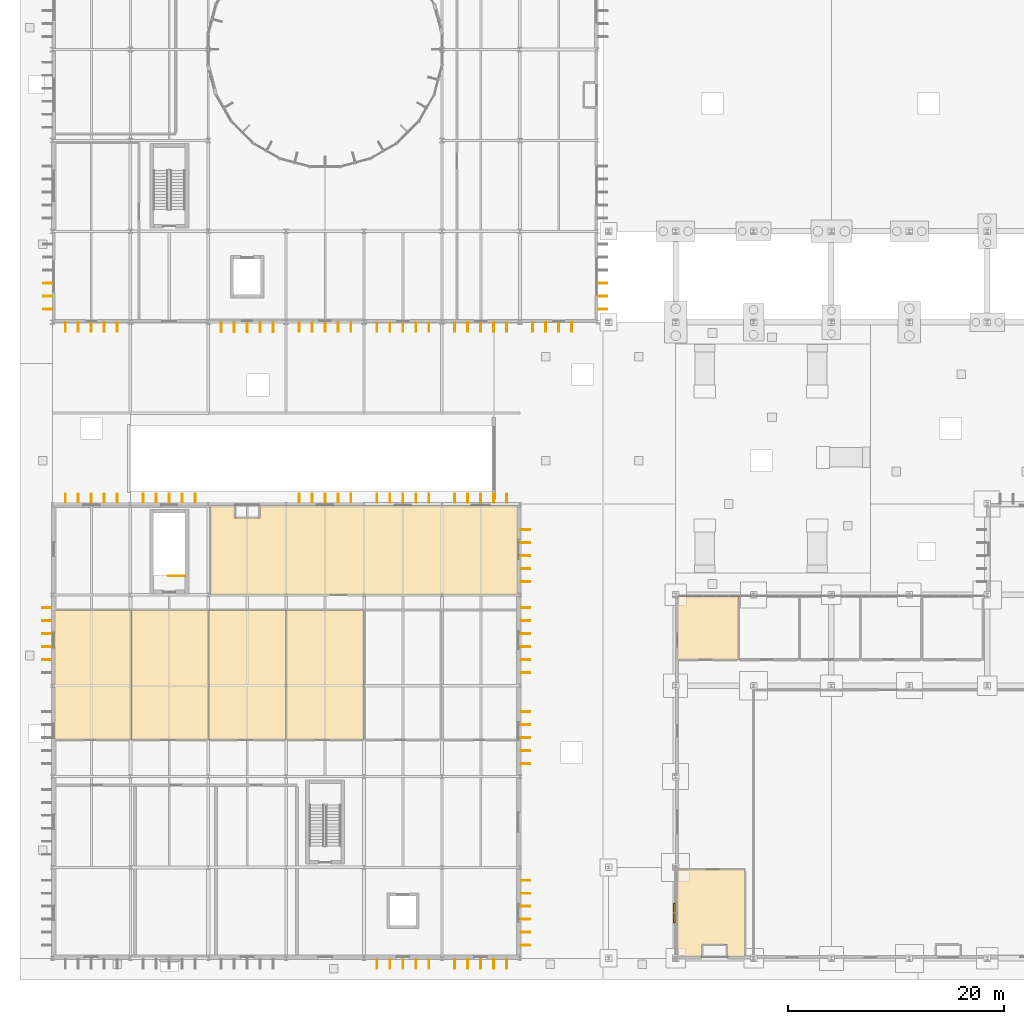
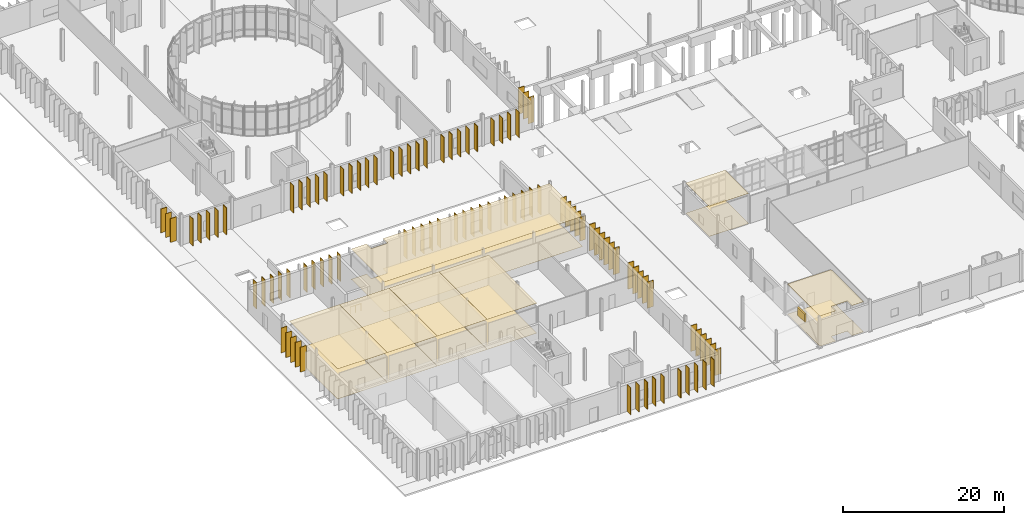
# One storey, part 103 of 118: 98 shading devices, 14 coverings, 1 railing.
"""IFC4 building model written with IfcOpenShell, lengths in metres."""

from ifc_helpers import new_model, si_unit, direction, frame, origin, origin_2d, place, context, subcontext, project, spatial, polyline, rectangle, circle, outline, extrude, material, layer, layer_set, type_object, element, save


model = new_model("IFC4")

# Units and contexts
model_context = context("Model", 3, precision=1e-05, world=origin(), true_north=direction((0.0, 1.0)))
body_context = subcontext(model_context, "Body", "Model", "MODEL_VIEW")
ifc_project = project(units=[si_unit("LENGTHUNIT", "METRE"), si_unit("AREAUNIT", "SQUARE_METRE"), si_unit("VOLUMEUNIT", "CUBIC_METRE"), si_unit("PLANEANGLEUNIT", "RADIAN"), si_unit("MASSUNIT", "GRAM", prefix="KILO")], contexts=[model_context])

# Site, building, storey
site_placement = place(None, origin())
site = spatial("IfcSite", under=ifc_project, at=site_placement, CompositionType="ELEMENT")
building_placement = place(site_placement, origin())
building = spatial("IfcBuilding", under=site, at=building_placement, Name="Qelthora Terrace Specialist Clinic", CompositionType="ELEMENT")
storey_placement = place(building_placement, origin())
storey = spatial("IfcBuildingStorey", under=building, at=storey_placement, Name="L00", CompositionType="ELEMENT", Elevation=0.0)

# Coverings
ifc_material_1 = material(Name="Hygienic mineral-fibre acoustic ceiling", Category="gypsum")
ifc_layer_1 = layer(ifc_material_1, 0.02490234375)
ifc_layer_set_1 = layer_set([ifc_layer_1], Name="Hygienic mineral-fibre acoustic ceiling")
covering_type_1 = type_object("IfcCoveringType", Name="COV-CEIL-ACU-25", PredefinedType="CEILING", material=ifc_layer_set_1)
covering_1_placement = place(storey_placement, frame((0.0, 0.0, 4.554931640625)))
element("IfcCovering", 1, at=covering_1_placement, inside=storey, type_object=covering_type_1, Name="Fire Command and Security Control Room L00-FC1 acoustic ceiling", PredefinedType="CEILING", context=body_context, shape_type="SweptSolid", body=[
    extrude(outline(polyline([(64.0, 0.14990234375), (62.360107421875, 0.14990234375), (62.360107421875, 1.280029296875), (60.0400390625, 1.280029296875), (60.0400390625, 0.14990234375), (57.75, 0.14990234375), (57.75, 8.199951171875), (64.0, 8.199951171875), (64.0, 0.14990234375)])), origin(), (0.0, 0.0, 1.0), 0.025146484375),
])
covering_2_placement = place(storey_placement, frame((0.0, 0.0, 4.554931640625)))
element("IfcCovering", 2, at=covering_2_placement, inside=storey, type_object=covering_type_1, Name="Outpatient Triage Suite L00-01 acoustic ceiling", PredefinedType="CEILING", context=body_context, shape_type="SweptSolid", body=[
    extrude(outline(polyline([(57.75, 27.60009765625), (57.75, 33.449951171875), (63.39990234375, 33.449951171875), (63.39990234375, 27.60009765625), (57.75, 27.60009765625)])), origin(), (0.0, 0.0, 1.0), 0.025146484375),
])
covering_3_placement = place(storey_placement, frame((0.0, 0.0, 4.534912109375)))
element("IfcCovering", 3, at=covering_3_placement, inside=storey, type_object=covering_type_1, Name="Ultrasound Examination Room L00-14 acoustic ceiling", PredefinedType="CEILING", context=body_context, shape_type="SweptSolid", body=[
    extrude(outline(polyline([(0.14990234375, 20.199951171875), (0.14990234375, 32.199951171875), (7.300048828125, 32.199951171875), (7.300048828125, 20.199951171875), (0.14990234375, 20.199951171875)])), origin(), (0.0, 0.0, 1.0), 0.025146484375),
])
covering_4_placement = place(storey_placement, frame((0.0, 0.0, 4.534912109375)))
element("IfcCovering", 4, at=covering_4_placement, inside=storey, type_object=covering_type_1, Name="Ultrasound Examination Room L00-15 acoustic ceiling", PredefinedType="CEILING", context=body_context, shape_type="SweptSolid", body=[
    extrude(outline(polyline([(7.304931640625, 20.199951171875), (7.304931640625, 32.199951171875), (14.449951171875, 32.199951171875), (14.449951171875, 20.199951171875), (7.304931640625, 20.199951171875)])), origin(), (0.0, 0.0, 1.0), 0.025146484375),
])
covering_5_placement = place(storey_placement, frame((0.0, 0.0, 4.534912109375)))
element("IfcCovering", 5, at=covering_5_placement, inside=storey, type_object=covering_type_1, Name="Mammography Diagnostic Suite L00-16 acoustic ceiling", PredefinedType="CEILING", context=body_context, shape_type="SweptSolid", body=[
    extrude(outline(polyline([(14.455078125, 20.199951171875), (14.455078125, 32.199951171875), (21.60009765625, 32.199951171875), (21.60009765625, 20.199951171875), (14.455078125, 20.199951171875)])), origin(), (0.0, 0.0, 1.0), 0.025146484375),
])
covering_6_placement = place(storey_placement, frame((0.0, 0.0, 4.534912109375)))
element("IfcCovering", 6, at=covering_6_placement, inside=storey, type_object=covering_type_1, Name="Imaging Waiting Lounge L00-17 acoustic ceiling", PredefinedType="CEILING", context=body_context, shape_type="SweptSolid", body=[
    extrude(outline(polyline([(21.60498046875, 20.199951171875), (21.60498046875, 32.199951171875), (28.75, 32.199951171875), (28.75, 20.199951171875), (21.60498046875, 20.199951171875)])), origin(), (0.0, 0.0, 1.0), 0.025146484375),
])
covering_7_placement = place(storey_placement, frame((0.0, 0.0, 4.550048828125)))
element("IfcCovering", 7, at=covering_7_placement, inside=storey, type_object=covering_type_1, Name="Ambulance Triage Reception L00-18 acoustic ceiling", PredefinedType="CEILING", context=body_context, shape_type="SweptSolid", body=[
    extrude(outline(polyline([(19.159912109375, 40.719970703125), (19.159912109375, 41.85009765625), (43.050048828125, 41.85009765625), (43.050048828125, 33.60009765625), (14.60009765625, 33.60009765625), (14.60009765625, 41.85009765625), (16.840087890625, 41.85009765625), (16.840087890625, 40.719970703125), (19.159912109375, 40.719970703125)])), origin(), (0.0, 0.0, 1.0), 0.02490234375),
])
ifc_material_2 = material(Name="Antimicrobial clinical linoleum flooring", Category="other")
ifc_layer_2 = layer(ifc_material_2, 0.011962890625)
ifc_layer_set_2 = layer_set([ifc_layer_2], Name="Antimicrobial clinical linoleum flooring")
covering_type_2 = type_object("IfcCoveringType", Name="COV-FLR-LINO-12", PredefinedType="FLOORING", material=ifc_layer_set_2)
covering_8_placement = place(storey_placement, origin())
element("IfcCovering", 8, at=covering_8_placement, inside=storey, type_object=covering_type_2, Name="Fire Command and Security Control Room L00-FC1 resilient linoleum flooring", PredefinedType="FLOORING", context=body_context, shape_type="SweptSolid", body=[
    extrude(outline(polyline([(64.0, 0.14990234375), (62.360107421875, 0.14990234375), (62.360107421875, 1.280029296875), (60.0400390625, 1.280029296875), (60.0400390625, 0.14990234375), (57.75, 0.14990234375), (57.75, 8.199951171875), (64.0, 8.199951171875), (64.0, 0.14990234375)])), origin(), (0.0, 0.0, 1.0), 0.011962890625),
])
covering_9_placement = place(storey_placement, origin())
element("IfcCovering", 9, at=covering_9_placement, inside=storey, type_object=covering_type_2, Name="Outpatient Triage Suite L00-01 resilient linoleum flooring", PredefinedType="FLOORING", context=body_context, shape_type="SweptSolid", body=[
    extrude(outline(polyline([(57.75, 27.60009765625), (57.75, 33.449951171875), (63.39990234375, 33.449951171875), (63.39990234375, 27.60009765625), (57.75, 27.60009765625)])), origin(), (0.0, 0.0, 1.0), 0.011962890625),
])
covering_10_placement = place(storey_placement, origin())
element("IfcCovering", 10, at=covering_10_placement, inside=storey, type_object=covering_type_2, Name="Ultrasound Examination Room L00-14 resilient linoleum flooring", PredefinedType="FLOORING", context=body_context, shape_type="SweptSolid", body=[
    extrude(outline(polyline([(0.14990234375, 20.199951171875), (0.14990234375, 32.199951171875), (7.300048828125, 32.199951171875), (7.300048828125, 20.199951171875), (0.14990234375, 20.199951171875)])), origin(), (0.0, 0.0, 1.0), 0.011962890625),
])
covering_11_placement = place(storey_placement, origin())
element("IfcCovering", 11, at=covering_11_placement, inside=storey, type_object=covering_type_2, Name="Ultrasound Examination Room L00-15 resilient linoleum flooring", PredefinedType="FLOORING", context=body_context, shape_type="SweptSolid", body=[
    extrude(outline(polyline([(7.304931640625, 20.199951171875), (7.304931640625, 32.199951171875), (14.449951171875, 32.199951171875), (14.449951171875, 20.199951171875), (7.304931640625, 20.199951171875)])), origin(), (0.0, 0.0, 1.0), 0.011962890625),
])
covering_12_placement = place(storey_placement, origin())
element("IfcCovering", 12, at=covering_12_placement, inside=storey, type_object=covering_type_2, Name="Mammography Diagnostic Suite L00-16 resilient linoleum flooring", PredefinedType="FLOORING", context=body_context, shape_type="SweptSolid", body=[
    extrude(outline(polyline([(14.455078125, 20.199951171875), (14.455078125, 32.199951171875), (21.60009765625, 32.199951171875), (21.60009765625, 20.199951171875), (14.455078125, 20.199951171875)])), origin(), (0.0, 0.0, 1.0), 0.011962890625),
])
covering_13_placement = place(storey_placement, origin())
element("IfcCovering", 13, at=covering_13_placement, inside=storey, type_object=covering_type_2, Name="Imaging Waiting Lounge L00-17 resilient linoleum flooring", PredefinedType="FLOORING", context=body_context, shape_type="SweptSolid", body=[
    extrude(outline(polyline([(21.60498046875, 20.199951171875), (21.60498046875, 32.199951171875), (28.75, 32.199951171875), (28.75, 20.199951171875), (21.60498046875, 20.199951171875)])), origin(), (0.0, 0.0, 1.0), 0.011962890625),
])
covering_14_placement = place(storey_placement, origin())
element("IfcCovering", 14, at=covering_14_placement, inside=storey, type_object=covering_type_2, Name="Ambulance Triage Reception L00-18 resilient linoleum flooring", PredefinedType="FLOORING", context=body_context, shape_type="SweptSolid", body=[
    extrude(outline(polyline([(19.159912109375, 40.719970703125), (19.159912109375, 41.85009765625), (43.050048828125, 41.85009765625), (43.050048828125, 33.60009765625), (14.60009765625, 33.60009765625), (14.60009765625, 41.85009765625), (16.840087890625, 41.85009765625), (16.840087890625, 40.719970703125), (19.159912109375, 40.719970703125)])), origin(), (0.0, 0.0, 1.0), 0.011962890625),
])

# Railing
ifc_material_3 = material(Name="Steel S355", Category="steel")
railing_type = type_object("IfcRailingType", Name="RAL-GD-1100-S355", PredefinedType="GUARDRAIL", material=ifc_material_3)
railing_placement = place(storey_placement, frame((12.25, 35.35009765625, 0.0)))
element("IfcRailing", 15, at=railing_placement, inside=storey, type_object=railing_type, Name="L00 ST-04 top well guard 1", PredefinedType="GUARDRAIL", context=body_context, shape_type="SweptSolid", body=[
    extrude(circle(Radius=0.02392578125, at=origin_2d()), frame((0.0, 0.0, 1.076171875), z_axis=(-1.0, 0.0, 0.0), x_axis=(0.0, -1.0, 0.0)), (0.0, 0.0, 1.0), 1.550048828125),
    extrude(circle(Radius=0.02099609375, at=origin_2d()), origin(), (0.0, 0.0, 1.0), 1.052001953125),
    extrude(circle(Radius=0.02099609375, at=origin_2d()), frame((-0.77490234375, 0.0, 0.0)), (0.0, 0.0, 1.0), 1.052001953125),
    extrude(circle(Radius=0.02099609375, at=origin_2d()), frame((-1.550048828125, 0.0, 0.0)), (0.0, 0.0, 1.0), 1.052001953125),
])

# Shading devices
ifc_material_4 = material(Name="Glulam timber GL28h", Category="wood")
shading_device_type_1 = type_object("IfcShadingDeviceType", Name="SHD-FIN-850", PredefinedType="USERDEFINED", material=ifc_material_4)
for number, where, z_axis, x_axis, name in (
    (16, (-0.43505859375, 60.0, 0.0), (0.0, 0.0, 1.0), (-1.0, 0.0, 0.0), "Exterior solar shading fin FIN-0401"),
    (17, (-0.43505859375, 61.199951171875, 0.0), (0.0, 0.0, 1.0), (-1.0, 0.0, 0.0), "Exterior solar shading fin FIN-0402"),
    (18, (-0.43505859375, 62.39990234375, 0.0), (0.0, 0.0, 1.0), (-1.0, 0.0, 0.0), "Exterior solar shading fin FIN-0403"),
):
    element("IfcShadingDevice", number, at=place(storey_placement, frame(where, z_axis=z_axis, x_axis=x_axis)), inside=storey, type_object=shading_device_type_1, Name=name, ObjectType="FIN", PredefinedType="USERDEFINED", context=body_context, shape_type="SweptSolid", body=[
        extrude(rectangle(XDim=0.85009765625, YDim=0.080078125, at=origin_2d()), origin(), (0.0, 0.0, 1.0), 3.614990234375),
    ])
for number, where, z_axis, x_axis, name in (
    (19, (50.85498046875, 60.0, 0.0), (0.0, 0.0, 1.0), (1.0, 0.0, 0.0), "Exterior solar shading fin FIN-0464"),
    (20, (50.85498046875, 61.199951171875, 0.0), (0.0, 0.0, 1.0), (1.0, 0.0, 0.0), "Exterior solar shading fin FIN-0465"),
    (21, (50.85498046875, 62.39990234375, 0.0), (0.0, 0.0, 1.0), (1.0, 0.0, 0.0), "Exterior solar shading fin FIN-0466"),
):
    element("IfcShadingDevice", number, at=place(storey_placement, frame(where, z_axis=z_axis, x_axis=x_axis)), inside=storey, type_object=shading_device_type_1, Name=name, ObjectType="FIN", PredefinedType="USERDEFINED", context=body_context, shape_type="SweptSolid", body=[
        extrude(rectangle(XDim=0.85009765625, YDim=0.080078125, at=origin_2d()), origin(), (0.0, 0.0, 1.0), 4.0048828125),
    ])
for number, where, z_axis, x_axis, name in (
    (22, (1.199951171875, 58.35498046875, 0.0), (0.0, 0.0, 1.0), (0.0, -1.0, 0.0), "Exterior solar shading fin FIN-0492"),
    (23, (2.39990234375, 58.35498046875, 0.0), (0.0, 0.0, 1.0), (0.0, -1.0, 0.0), "Exterior solar shading fin FIN-0493"),
    (24, (3.60009765625, 58.35498046875, 0.0), (0.0, 0.0, 1.0), (0.0, -1.0, 0.0), "Exterior solar shading fin FIN-0494"),
    (25, (4.800048828125, 58.35498046875, 0.0), (0.0, 0.0, 1.0), (0.0, -1.0, 0.0), "Exterior solar shading fin FIN-0495"),
    (26, (6.0, 58.35498046875, 0.0), (0.0, 0.0, 1.0), (0.0, -1.0, 0.0), "Exterior solar shading fin FIN-0496"),
):
    element("IfcShadingDevice", number, at=place(storey_placement, frame(where, z_axis=z_axis, x_axis=x_axis)), inside=storey, type_object=shading_device_type_1, Name=name, ObjectType="FIN", PredefinedType="USERDEFINED", context=body_context, shape_type="SweptSolid", body=[
        extrude(rectangle(XDim=0.85009765625, YDim=0.080078125, at=origin_2d()), origin(), (0.0, 0.0, 1.0), 4.08203125),
    ])
for number, where, z_axis, x_axis, name in (
    (27, (15.60009765625, 58.304931640625, 0.0), (0.0, 0.0, 1.0), (0.0, -1.0, 0.0), "Exterior solar shading fin FIN-0497"),
    (28, (16.800048828125, 58.304931640625, 0.0), (0.0, 0.0, 1.0), (0.0, -1.0, 0.0), "Exterior solar shading fin FIN-0498"),
    (29, (18.0, 58.304931640625, 0.0), (0.0, 0.0, 1.0), (0.0, -1.0, 0.0), "Exterior solar shading fin FIN-0499"),
    (30, (19.199951171875, 58.304931640625, 0.0), (0.0, 0.0, 1.0), (0.0, -1.0, 0.0), "Exterior solar shading fin FIN-0500"),
    (31, (20.39990234375, 58.304931640625, 0.0), (0.0, 0.0, 1.0), (0.0, -1.0, 0.0), "Exterior solar shading fin FIN-0501"),
):
    element("IfcShadingDevice", number, at=place(storey_placement, frame(where, z_axis=z_axis, x_axis=x_axis)), inside=storey, type_object=shading_device_type_1, Name=name, ObjectType="FIN", PredefinedType="USERDEFINED", context=body_context, shape_type="SweptSolid", body=[
        extrude(rectangle(XDim=0.85009765625, YDim=0.080078125, at=origin_2d()), origin(), (0.0, 0.0, 1.0), 4.12890625),
    ])
for number, where, z_axis, x_axis, name in (
    (32, (22.800048828125, 58.3349609375, 0.0), (0.0, 0.0, 1.0), (0.0, -1.0, 0.0), "Exterior solar shading fin FIN-0502"),
    (33, (24.0, 58.3349609375, 0.0), (0.0, 0.0, 1.0), (0.0, -1.0, 0.0), "Exterior solar shading fin FIN-0503"),
    (34, (25.199951171875, 58.3349609375, 0.0), (0.0, 0.0, 1.0), (0.0, -1.0, 0.0), "Exterior solar shading fin FIN-0504"),
    (35, (26.39990234375, 58.3349609375, 0.0), (0.0, 0.0, 1.0), (0.0, -1.0, 0.0), "Exterior solar shading fin FIN-0505"),
    (36, (27.60009765625, 58.3349609375, 0.0), (0.0, 0.0, 1.0), (0.0, -1.0, 0.0), "Exterior solar shading fin FIN-0506"),
    (37, (30.0, 58.344970703125, 0.0), (0.0, 0.0, 1.0), (0.0, -1.0, 0.0), "Exterior solar shading fin FIN-0507"),
    (38, (31.199951171875, 58.344970703125, 0.0), (0.0, 0.0, 1.0), (0.0, -1.0, 0.0), "Exterior solar shading fin FIN-0508"),
    (39, (32.39990234375, 58.344970703125, 0.0), (0.0, 0.0, 1.0), (0.0, -1.0, 0.0), "Exterior solar shading fin FIN-0509"),
    (40, (33.60009765625, 58.344970703125, 0.0), (0.0, 0.0, 1.0), (0.0, -1.0, 0.0), "Exterior solar shading fin FIN-0510"),
    (41, (34.800048828125, 58.344970703125, 0.0), (0.0, 0.0, 1.0), (0.0, -1.0, 0.0), "Exterior solar shading fin FIN-0511"),
):
    element("IfcShadingDevice", number, at=place(storey_placement, frame(where, z_axis=z_axis, x_axis=x_axis)), inside=storey, type_object=shading_device_type_1, Name=name, ObjectType="FIN", PredefinedType="USERDEFINED", context=body_context, shape_type="SweptSolid", body=[
        extrude(rectangle(XDim=0.85009765625, YDim=0.080078125, at=origin_2d()), origin(), (0.0, 0.0, 1.0), 4.08203125),
    ])
for number, where, z_axis, x_axis, name in (
    (42, (37.199951171875, 58.35498046875, 0.0), (0.0, 0.0, 1.0), (0.0, -1.0, 0.0), "Exterior solar shading fin FIN-0512"),
    (43, (38.39990234375, 58.35498046875, 0.0), (0.0, 0.0, 1.0), (0.0, -1.0, 0.0), "Exterior solar shading fin FIN-0513"),
    (44, (39.60009765625, 58.35498046875, 0.0), (0.0, 0.0, 1.0), (0.0, -1.0, 0.0), "Exterior solar shading fin FIN-0514"),
    (45, (40.800048828125, 58.35498046875, 0.0), (0.0, 0.0, 1.0), (0.0, -1.0, 0.0), "Exterior solar shading fin FIN-0515"),
    (46, (42.0, 58.35498046875, 0.0), (0.0, 0.0, 1.0), (0.0, -1.0, 0.0), "Exterior solar shading fin FIN-0516"),
    (47, (44.39990234375, 58.364990234375, 0.0), (0.0, 0.0, 1.0), (0.0, -1.0, 0.0), "Exterior solar shading fin FIN-0517"),
    (48, (45.60009765625, 58.364990234375, 0.0), (0.0, 0.0, 1.0), (0.0, -1.0, 0.0), "Exterior solar shading fin FIN-0518"),
    (49, (46.800048828125, 58.364990234375, 0.0), (0.0, 0.0, 1.0), (0.0, -1.0, 0.0), "Exterior solar shading fin FIN-0519"),
    (50, (48.0, 58.364990234375, 0.0), (0.0, 0.0, 1.0), (0.0, -1.0, 0.0), "Exterior solar shading fin FIN-0520"),
):
    element("IfcShadingDevice", number, at=place(storey_placement, frame(where, z_axis=z_axis, x_axis=x_axis)), inside=storey, type_object=shading_device_type_1, Name=name, ObjectType="FIN", PredefinedType="USERDEFINED", context=body_context, shape_type="SweptSolid", body=[
        extrude(rectangle(XDim=0.85009765625, YDim=0.080078125, at=origin_2d()), origin(), (0.0, 0.0, 1.0), 3.84912109375),
    ])
for number, where, z_axis, x_axis, name in (
    (51, (30.0, -0.514892578125, 0.0), (0.0, 0.0, 1.0), (0.0, -1.0, 0.0), "Exterior solar shading fin FIN-0536"),
    (52, (31.199951171875, -0.514892578125, 0.0), (0.0, 0.0, 1.0), (0.0, -1.0, 0.0), "Exterior solar shading fin FIN-0537"),
    (53, (32.39990234375, -0.514892578125, 0.0), (0.0, 0.0, 1.0), (0.0, -1.0, 0.0), "Exterior solar shading fin FIN-0538"),
    (54, (33.60009765625, -0.514892578125, 0.0), (0.0, 0.0, 1.0), (0.0, -1.0, 0.0), "Exterior solar shading fin FIN-0539"),
    (55, (34.800048828125, -0.514892578125, 0.0), (0.0, 0.0, 1.0), (0.0, -1.0, 0.0), "Exterior solar shading fin FIN-0540"),
    (56, (37.199951171875, -0.514892578125, 0.0), (0.0, 0.0, 1.0), (0.0, -1.0, 0.0), "Exterior solar shading fin FIN-0541"),
    (57, (38.39990234375, -0.514892578125, 0.0), (0.0, 0.0, 1.0), (0.0, -1.0, 0.0), "Exterior solar shading fin FIN-0542"),
    (58, (39.60009765625, -0.514892578125, 0.0), (0.0, 0.0, 1.0), (0.0, -1.0, 0.0), "Exterior solar shading fin FIN-0543"),
    (59, (40.800048828125, -0.514892578125, 0.0), (0.0, 0.0, 1.0), (0.0, -1.0, 0.0), "Exterior solar shading fin FIN-0544"),
    (60, (42.0, -0.514892578125, 0.0), (0.0, 0.0, 1.0), (0.0, -1.0, 0.0), "Exterior solar shading fin FIN-0545"),
):
    element("IfcShadingDevice", number, at=place(storey_placement, frame(where, z_axis=z_axis, x_axis=x_axis)), inside=storey, type_object=shading_device_type_1, Name=name, ObjectType="FIN", PredefinedType="USERDEFINED", context=body_context, shape_type="SweptSolid", body=[
        extrude(rectangle(XDim=0.85009765625, YDim=0.080078125, at=origin_2d()), origin(), (0.0, 0.0, 1.0), 4.08203125),
    ])
for number, where, z_axis, x_axis, name in (
    (61, (-0.514892578125, 27.60009765625, 0.0), (0.0, 0.0, 1.0), (-1.0, 0.0, 0.0), "Exterior solar shading fin FIN-0564"),
    (62, (-0.514892578125, 28.800048828125, 0.0), (0.0, 0.0, 1.0), (-1.0, 0.0, 0.0), "Exterior solar shading fin FIN-0565"),
    (63, (-0.514892578125, 30.0, 0.0), (0.0, 0.0, 1.0), (-1.0, 0.0, 0.0), "Exterior solar shading fin FIN-0566"),
    (64, (-0.514892578125, 31.199951171875, 0.0), (0.0, 0.0, 1.0), (-1.0, 0.0, 0.0), "Exterior solar shading fin FIN-0567"),
    (65, (-0.514892578125, 32.39990234375, 0.0), (0.0, 0.0, 1.0), (-1.0, 0.0, 0.0), "Exterior solar shading fin FIN-0568"),
):
    element("IfcShadingDevice", number, at=place(storey_placement, frame(where, z_axis=z_axis, x_axis=x_axis)), inside=storey, type_object=shading_device_type_1, Name=name, ObjectType="FIN", PredefinedType="USERDEFINED", context=body_context, shape_type="SweptSolid", body=[
        extrude(rectangle(XDim=0.85009765625, YDim=0.080078125, at=origin_2d()), origin(), (0.0, 0.0, 1.0), 3.77197265625),
    ])
for number, where, z_axis, x_axis, name in (
    (66, (1.199951171875, 42.514892578125, 0.0), (0.0, 0.0, 1.0), (0.0, 1.0, 0.0), "Exterior solar shading fin FIN-0569"),
    (67, (2.39990234375, 42.514892578125, 0.0), (0.0, 0.0, 1.0), (0.0, 1.0, 0.0), "Exterior solar shading fin FIN-0570"),
    (68, (3.60009765625, 42.514892578125, 0.0), (0.0, 0.0, 1.0), (0.0, 1.0, 0.0), "Exterior solar shading fin FIN-0571"),
    (69, (4.800048828125, 42.514892578125, 0.0), (0.0, 0.0, 1.0), (0.0, 1.0, 0.0), "Exterior solar shading fin FIN-0572"),
    (70, (6.0, 42.514892578125, 0.0), (0.0, 0.0, 1.0), (0.0, 1.0, 0.0), "Exterior solar shading fin FIN-0573"),
    (71, (8.39990234375, 42.514892578125, 0.0), (0.0, 0.0, 1.0), (0.0, 1.0, 0.0), "Exterior solar shading fin FIN-0574"),
    (72, (9.60009765625, 42.514892578125, 0.0), (0.0, 0.0, 1.0), (0.0, 1.0, 0.0), "Exterior solar shading fin FIN-0575"),
    (73, (10.800048828125, 42.514892578125, 0.0), (0.0, 0.0, 1.0), (0.0, 1.0, 0.0), "Exterior solar shading fin FIN-0576"),
    (74, (12.0, 42.514892578125, 0.0), (0.0, 0.0, 1.0), (0.0, 1.0, 0.0), "Exterior solar shading fin FIN-0577"),
    (75, (13.199951171875, 42.514892578125, 0.0), (0.0, 0.0, 1.0), (0.0, 1.0, 0.0), "Exterior solar shading fin FIN-0578"),
):
    element("IfcShadingDevice", number, at=place(storey_placement, frame(where, z_axis=z_axis, x_axis=x_axis)), inside=storey, type_object=shading_device_type_1, Name=name, ObjectType="FIN", PredefinedType="USERDEFINED", context=body_context, shape_type="SweptSolid", body=[
        extrude(rectangle(XDim=0.85009765625, YDim=0.080078125, at=origin_2d()), origin(), (0.0, 0.0, 1.0), 4.0048828125),
    ])
for number, where, z_axis, x_axis, name in (
    (76, (22.800048828125, 42.514892578125, 0.0), (0.0, 0.0, 1.0), (0.0, 1.0, 0.0), "Exterior solar shading fin FIN-0579"),
    (77, (24.0, 42.514892578125, 0.0), (0.0, 0.0, 1.0), (0.0, 1.0, 0.0), "Exterior solar shading fin FIN-0580"),
    (78, (25.199951171875, 42.514892578125, 0.0), (0.0, 0.0, 1.0), (0.0, 1.0, 0.0), "Exterior solar shading fin FIN-0581"),
    (79, (26.39990234375, 42.514892578125, 0.0), (0.0, 0.0, 1.0), (0.0, 1.0, 0.0), "Exterior solar shading fin FIN-0582"),
    (80, (27.60009765625, 42.514892578125, 0.0), (0.0, 0.0, 1.0), (0.0, 1.0, 0.0), "Exterior solar shading fin FIN-0583"),
):
    element("IfcShadingDevice", number, at=place(storey_placement, frame(where, z_axis=z_axis, x_axis=x_axis)), inside=storey, type_object=shading_device_type_1, Name=name, ObjectType="FIN", PredefinedType="USERDEFINED", context=body_context, shape_type="SweptSolid", body=[
        extrude(rectangle(XDim=0.85009765625, YDim=0.080078125, at=origin_2d()), origin(), (0.0, 0.0, 1.0), 4.075927734375),
    ])
for number, where, z_axis, x_axis, name in (
    (81, (30.0, 42.514892578125, 0.0), (0.0, 0.0, 1.0), (0.0, 1.0, 0.0), "Exterior solar shading fin FIN-0584"),
    (82, (31.199951171875, 42.514892578125, 0.0), (0.0, 0.0, 1.0), (0.0, 1.0, 0.0), "Exterior solar shading fin FIN-0585"),
    (83, (32.39990234375, 42.514892578125, 0.0), (0.0, 0.0, 1.0), (0.0, 1.0, 0.0), "Exterior solar shading fin FIN-0586"),
    (84, (33.60009765625, 42.514892578125, 0.0), (0.0, 0.0, 1.0), (0.0, 1.0, 0.0), "Exterior solar shading fin FIN-0587"),
    (85, (34.800048828125, 42.514892578125, 0.0), (0.0, 0.0, 1.0), (0.0, 1.0, 0.0), "Exterior solar shading fin FIN-0588"),
):
    element("IfcShadingDevice", number, at=place(storey_placement, frame(where, z_axis=z_axis, x_axis=x_axis)), inside=storey, type_object=shading_device_type_1, Name=name, ObjectType="FIN", PredefinedType="USERDEFINED", context=body_context, shape_type="SweptSolid", body=[
        extrude(rectangle(XDim=0.85009765625, YDim=0.080078125, at=origin_2d()), origin(), (0.0, 0.0, 1.0), 4.08203125),
    ])
for number, where, z_axis, x_axis, name in (
    (86, (37.199951171875, 42.514892578125, 0.0), (0.0, 0.0, 1.0), (0.0, 1.0, 0.0), "Exterior solar shading fin FIN-0589"),
    (87, (38.39990234375, 42.514892578125, 0.0), (0.0, 0.0, 1.0), (0.0, 1.0, 0.0), "Exterior solar shading fin FIN-0590"),
    (88, (39.60009765625, 42.514892578125, 0.0), (0.0, 0.0, 1.0), (0.0, 1.0, 0.0), "Exterior solar shading fin FIN-0591"),
    (89, (40.800048828125, 42.514892578125, 0.0), (0.0, 0.0, 1.0), (0.0, 1.0, 0.0), "Exterior solar shading fin FIN-0592"),
    (90, (42.0, 42.514892578125, 0.0), (0.0, 0.0, 1.0), (0.0, 1.0, 0.0), "Exterior solar shading fin FIN-0593"),
):
    element("IfcShadingDevice", number, at=place(storey_placement, frame(where, z_axis=z_axis, x_axis=x_axis)), inside=storey, type_object=shading_device_type_1, Name=name, ObjectType="FIN", PredefinedType="USERDEFINED", context=body_context, shape_type="SweptSolid", body=[
        extrude(rectangle(XDim=0.85009765625, YDim=0.080078125, at=origin_2d()), origin(), (0.0, 0.0, 1.0), 4.12890625),
    ])
for number, where, z_axis, x_axis, name in (
    (91, (43.715087890625, 1.199951171875, 0.0), (0.0, 0.0, 1.0), (1.0, 0.0, 0.0), "Exterior solar shading fin FIN-0594"),
    (92, (43.715087890625, 2.39990234375, 0.0), (0.0, 0.0, 1.0), (1.0, 0.0, 0.0), "Exterior solar shading fin FIN-0595"),
    (93, (43.715087890625, 3.60009765625, 0.0), (0.0, 0.0, 1.0), (1.0, 0.0, 0.0), "Exterior solar shading fin FIN-0596"),
    (94, (43.715087890625, 4.800048828125, 0.0), (0.0, 0.0, 1.0), (1.0, 0.0, 0.0), "Exterior solar shading fin FIN-0597"),
    (95, (43.715087890625, 6.0, 0.0), (0.0, 0.0, 1.0), (1.0, 0.0, 0.0), "Exterior solar shading fin FIN-0598"),
    (96, (43.715087890625, 7.199951171875, 0.0), (0.0, 0.0, 1.0), (1.0, 0.0, 0.0), "Exterior solar shading fin FIN-0599"),
):
    element("IfcShadingDevice", number, at=place(storey_placement, frame(where, z_axis=z_axis, x_axis=x_axis)), inside=storey, type_object=shading_device_type_1, Name=name, ObjectType="FIN", PredefinedType="USERDEFINED", context=body_context, shape_type="SweptSolid", body=[
        extrude(rectangle(XDim=0.85009765625, YDim=0.080078125, at=origin_2d()), origin(), (0.0, 0.0, 1.0), 3.925048828125),
    ])
for number, where, z_axis, x_axis, name in (
    (97, (43.715087890625, 18.0, 0.0), (0.0, 0.0, 1.0), (1.0, 0.0, 0.0), "Exterior solar shading fin FIN-0600"),
    (98, (43.715087890625, 19.199951171875, 0.0), (0.0, 0.0, 1.0), (1.0, 0.0, 0.0), "Exterior solar shading fin FIN-0601"),
    (99, (43.715087890625, 20.39990234375, 0.0), (0.0, 0.0, 1.0), (1.0, 0.0, 0.0), "Exterior solar shading fin FIN-0602"),
    (100, (43.715087890625, 21.60009765625, 0.0), (0.0, 0.0, 1.0), (1.0, 0.0, 0.0), "Exterior solar shading fin FIN-0603"),
    (101, (43.715087890625, 22.800048828125, 0.0), (0.0, 0.0, 1.0), (1.0, 0.0, 0.0), "Exterior solar shading fin FIN-0604"),
):
    element("IfcShadingDevice", number, at=place(storey_placement, frame(where, z_axis=z_axis, x_axis=x_axis)), inside=storey, type_object=shading_device_type_1, Name=name, ObjectType="FIN", PredefinedType="USERDEFINED", context=body_context, shape_type="SweptSolid", body=[
        extrude(rectangle(XDim=0.85009765625, YDim=0.080078125, at=origin_2d()), origin(), (0.0, 0.0, 1.0), 3.998046875),
    ])
for number, where, z_axis, x_axis, name in (
    (102, (43.715087890625, 26.39990234375, 0.0), (0.0, 0.0, 1.0), (1.0, 0.0, 0.0), "Exterior solar shading fin FIN-0605"),
    (103, (43.715087890625, 27.60009765625, 0.0), (0.0, 0.0, 1.0), (1.0, 0.0, 0.0), "Exterior solar shading fin FIN-0606"),
    (104, (43.715087890625, 28.800048828125, 0.0), (0.0, 0.0, 1.0), (1.0, 0.0, 0.0), "Exterior solar shading fin FIN-0607"),
    (105, (43.715087890625, 30.0, 0.0), (0.0, 0.0, 1.0), (1.0, 0.0, 0.0), "Exterior solar shading fin FIN-0608"),
    (106, (43.715087890625, 31.199951171875, 0.0), (0.0, 0.0, 1.0), (1.0, 0.0, 0.0), "Exterior solar shading fin FIN-0609"),
    (107, (43.715087890625, 32.39990234375, 0.0), (0.0, 0.0, 1.0), (1.0, 0.0, 0.0), "Exterior solar shading fin FIN-0610"),
):
    element("IfcShadingDevice", number, at=place(storey_placement, frame(where, z_axis=z_axis, x_axis=x_axis)), inside=storey, type_object=shading_device_type_1, Name=name, ObjectType="FIN", PredefinedType="USERDEFINED", context=body_context, shape_type="SweptSolid", body=[
        extrude(rectangle(XDim=0.85009765625, YDim=0.080078125, at=origin_2d()), origin(), (0.0, 0.0, 1.0), 4.0048828125),
    ])
for number, where, z_axis, x_axis, name in (
    (108, (43.715087890625, 34.800048828125, 0.0), (0.0, 0.0, 1.0), (1.0, 0.0, 0.0), "Exterior solar shading fin FIN-0611"),
    (109, (43.715087890625, 36.0, 0.0), (0.0, 0.0, 1.0), (1.0, 0.0, 0.0), "Exterior solar shading fin FIN-0612"),
    (110, (43.715087890625, 37.199951171875, 0.0), (0.0, 0.0, 1.0), (1.0, 0.0, 0.0), "Exterior solar shading fin FIN-0613"),
    (111, (43.715087890625, 38.39990234375, 0.0), (0.0, 0.0, 1.0), (1.0, 0.0, 0.0), "Exterior solar shading fin FIN-0614"),
    (112, (43.715087890625, 39.60009765625, 0.0), (0.0, 0.0, 1.0), (1.0, 0.0, 0.0), "Exterior solar shading fin FIN-0615"),
):
    element("IfcShadingDevice", number, at=place(storey_placement, frame(where, z_axis=z_axis, x_axis=x_axis)), inside=storey, type_object=shading_device_type_1, Name=name, ObjectType="FIN", PredefinedType="USERDEFINED", context=body_context, shape_type="SweptSolid", body=[
        extrude(rectangle(XDim=0.85009765625, YDim=0.080078125, at=origin_2d()), origin(), (0.0, 0.0, 1.0), 3.614990234375),
    ])
ifc_material_5 = material(Name="Aluminium anodized bronze", Category="aluminium")
shading_device_type_2 = type_object("IfcShadingDeviceType", Name="SHD-LOUVRE-1800", PredefinedType="USERDEFINED", material=ifc_material_5)
shading_device_placement = place(storey_placement, frame((57.469970703125, 4.199951171875, 1.89990234375), z_axis=(0.0, 0.0, 1.0), x_axis=(0.0, 1.0, 0.0)))
element("IfcShadingDevice", 113, at=shading_device_placement, inside=storey, type_object=shading_device_type_2, Name="High-altitude HVAC louvre LVR-001", ObjectType="LOUVRE", PredefinedType="USERDEFINED", context=body_context, shape_type="SweptSolid", body=[
    extrude(rectangle(XDim=1.800048828125, YDim=0.179931640625, at=origin_2d()), origin(), (0.0, 0.0, 1.0), 1.199951171875),
])

save(model, "model.ifc")
